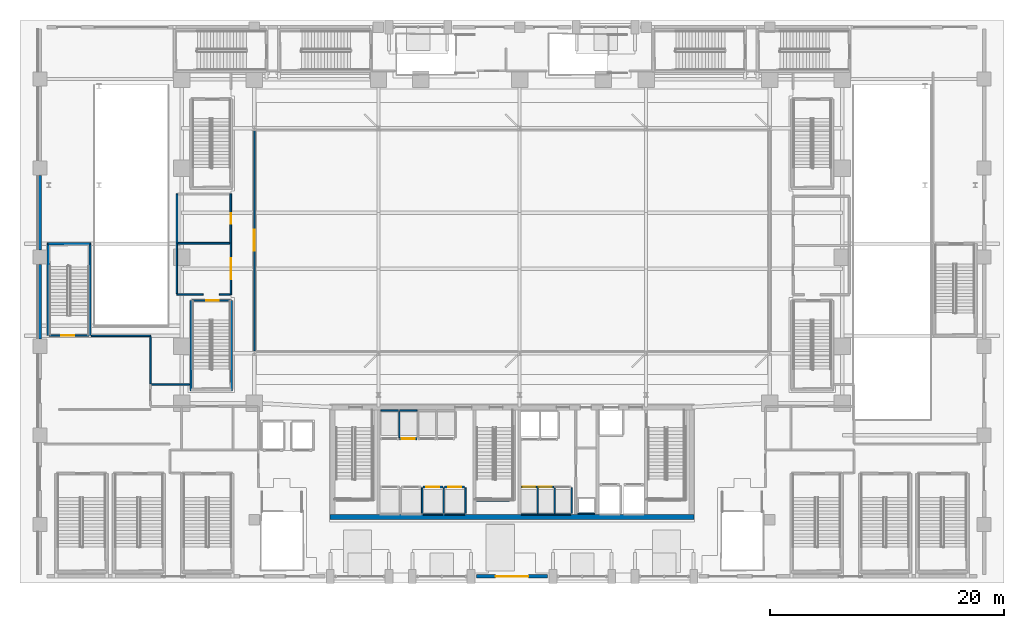
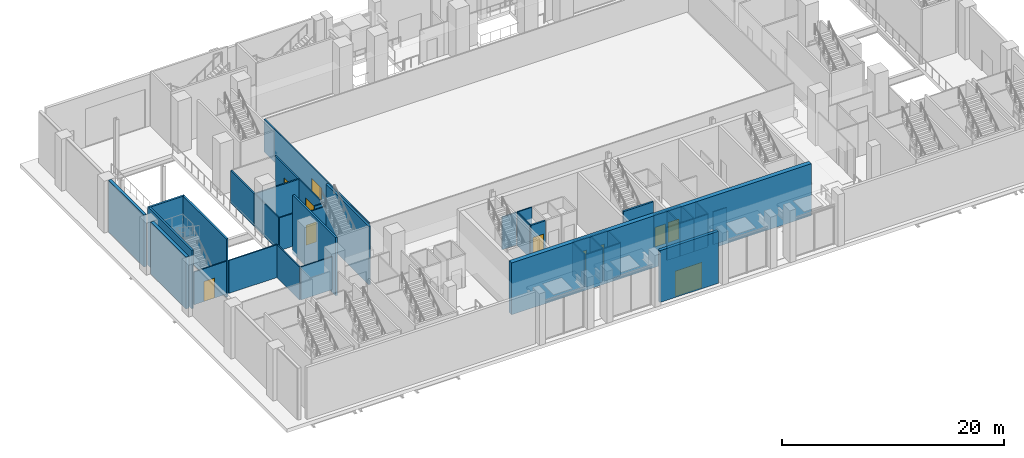
# One storey, part 19 of 36: 43 walls, 11 doors, 11 openings.
"""IFC4 building model written with IfcOpenShell, lengths in metres."""

import ifcopenshell
import ifcopenshell.guid

model = None  # the IFC model being written
_history = None  # IfcOwnerHistory: only IFC2X3 demands one
_inside = {}  # id of a spatial element -> (the spatial element, [elements in it])
_under = {}  # id of a project, library or spatial element -> (it, [spatial elements below it])
_declared = {}  # id of a project -> (the project, [libraries it declares])
_typed = {}  # id of a type object -> (the type object, [elements of that type])
_made_of = {}  # id of a material, layer set ... -> (it, [elements and type objects made of it])


def new_model(schema):
    """Start an empty IFC model of exactly this schema.

    Asked for "IFC4X3", IfcOpenShell would pick the latest addendum, in which some entities
    have other attributes; the version numbers below select the first issue.
    IFC2X3 requires an IfcOwnerHistory on every rooted entity: one is made here for all.
    """
    global model, _history
    if schema == "IFC4X3":
        model = ifcopenshell.file(schema_version=(4, 3, 0, 0))
    else:
        model = ifcopenshell.file(schema=schema)
    _inside.clear()
    _under.clear()
    _declared.clear()
    _typed.clear()
    _made_of.clear()
    _history = None
    if model.schema == "IFC2X3":
        org = make("IfcOrganization", Name="unknown")
        user = make(
            "IfcPersonAndOrganization",
            ThePerson=make("IfcPerson", FamilyName="unknown"),
            TheOrganization=org,
        )
        app = make(
            "IfcApplication",
            ApplicationDeveloper=org,
            Version="unknown",
            ApplicationFullName="unknown",
            ApplicationIdentifier="unknown",
        )
        _history = make(
            "IfcOwnerHistory",
            OwningUser=user,
            OwningApplication=app,
            ChangeAction="ADDED",
            CreationDate=0,
        )
    return model


def make(cls, **values):
    """One entity of the class cls with the attributes given. An attribute that is None is left unset."""
    return model.create_entity(
        cls, **{name: value for name, value in values.items() if value is not None}
    )


def rooted(cls, **values):
    """An entity with a GlobalId (a new one), such as an element, a storey or a relation."""
    return make(cls, GlobalId=ifcopenshell.guid.new(), OwnerHistory=_history, **values)


def si_unit(unit_type, name, prefix=None):
    """IfcSIUnit, for example si_unit("LENGTHUNIT", "METRE", prefix="MILLI")."""
    return make("IfcSIUnit", UnitType=unit_type, Prefix=prefix, Name=name)


def assignment(units):
    """IfcUnitAssignment: the units of a project."""
    return None if units is None else make("IfcUnitAssignment", Units=units)


def point(xyz):
    """IfcCartesianPoint."""
    return None if xyz is None else make("IfcCartesianPoint", Coordinates=xyz)


def direction(xyz):
    """IfcDirection."""
    return None if xyz is None else make("IfcDirection", DirectionRatios=xyz)


def frame(location, z_axis=None, x_axis=None):
    """IfcAxis2Placement3D, a coordinate frame: its origin and axes. An axis left out is left unset."""
    return make(
        "IfcAxis2Placement3D",
        Location=point(location),
        Axis=direction(z_axis),
        RefDirection=direction(x_axis),
    )


def frame_2d(location, x_axis=None):
    """IfcAxis2Placement2D, a coordinate frame in the plane: its origin and x axis."""
    return make(
        "IfcAxis2Placement2D", Location=point(location), RefDirection=direction(x_axis)
    )


def origin():
    """The frame at (0, 0, 0) with its axes left unset."""
    return frame((0.0, 0.0, 0.0))


def place(relative_to, where):
    """IfcLocalPlacement: puts the frame where relative to a parent placement (None: the world)."""
    return make(
        "IfcLocalPlacement", PlacementRelTo=relative_to, RelativePlacement=where
    )


def context(
    kind, dimensions, precision=None, world=None, true_north=None, identifier=None
):
    """IfcGeometricRepresentationContext, for example the 3D "Model" context."""
    return make(
        "IfcGeometricRepresentationContext",
        ContextIdentifier=identifier,
        ContextType=kind,
        CoordinateSpaceDimension=dimensions,
        Precision=precision,
        WorldCoordinateSystem=world,
        TrueNorth=true_north,
    )


def subcontext(parent, identifier, kind, view, scale=None):
    """IfcGeometricRepresentationSubContext, for example "Body" below "Model"."""
    return make(
        "IfcGeometricRepresentationSubContext",
        ContextIdentifier=identifier,
        ContextType=kind,
        ParentContext=parent,
        TargetScale=scale,
        TargetView=view,
    )


def project(units=None, contexts=None):
    """IfcProject with its units and contexts."""
    return rooted(
        "IfcProject",
        Name="project",
        RepresentationContexts=contexts,
        UnitsInContext=assignment(units),
    )


def spatial(cls, under=None, at=None, **own):
    """A site, building, storey or space (cls), placed at a placement, below another one or the project."""
    s = rooted(cls, ObjectPlacement=at, **own)
    if under is not None:
        _under.setdefault(under.id(), (under, []))[1].append(s)
    return s


def profile(cls, at=None, kind="AREA", **sizes):
    """A parametric profile (cls). Its sizes go by their IFC names, for example OverallWidth=200.0."""
    return make(cls, ProfileType=kind, Position=at, **sizes)


def rectangle(**sizes):
    """IfcRectangleProfileDef."""
    return profile("IfcRectangleProfileDef", **sizes)


def extrude(swept, where, along, depth):
    """IfcExtrudedAreaSolid: the profile swept, set in the frame where, extruded along a direction by depth."""
    return make(
        "IfcExtrudedAreaSolid",
        SweptArea=swept,
        Position=where,
        ExtrudedDirection=direction(along),
        Depth=depth,
    )


def shape(context_of_items, identifier, shape_type, items):
    """IfcShapeRepresentation: the items that make up one representation, for example the "Body"."""
    return make(
        "IfcShapeRepresentation",
        ContextOfItems=context_of_items,
        RepresentationIdentifier=identifier,
        RepresentationType=shape_type,
        Items=items,
    )


def material(Name=None, Category=None):
    """IfcMaterial."""
    return make("IfcMaterial", Name=Name, Category=Category)


def layer(
    of_material, thickness, ventilated=None, Name=None, Category=None, Priority=None
):
    """IfcMaterialLayer: one layer of a wall or slab, of a material (None: an air gap)."""
    return make(
        "IfcMaterialLayer",
        Material=of_material,
        LayerThickness=thickness,
        IsVentilated=ventilated,
        Name=Name,
        Category=Category,
        Priority=Priority,
    )


def layer_set(layers, Name=None):
    """IfcMaterialLayerSet."""
    return make("IfcMaterialLayerSet", MaterialLayers=layers, LayerSetName=Name)


def made_of(thing, what):
    """Note that an element or type object is made of a material, layer set ...; save() writes the relation."""
    if what is not None:
        _made_of.setdefault(what.id(), (what, []))[1].append(thing)
    return thing


def type_object(cls, material=None, **own):
    """A type object (cls), such as IfcWallType, which elements share."""
    return made_of(rooted(cls, **own), material)


def element(
    cls,
    number,
    at=None,
    inside=None,
    cuts=None,
    type_object=None,
    material=None,
    context=None,
    identifier="Body",
    shape_type=None,
    held_by="IfcProductDefinitionShape",
    body=None,
    shapes=None,
    **own,
):
    """One element of the class cls, such as IfcWall. Its Tag is "e" and its number.

    at: its placement. inside: the storey or other place that contains it. cuts: it is an
    opening in that element (IfcRelVoidsElement). A single representation is given by context,
    identifier, shape_type and body (its items); several are given by shapes. held_by: the class
    of the entity that holds the representations. save() writes the other relations.
    """
    e = rooted(cls, Tag="e%d" % number, ObjectPlacement=at, **own)
    if body is not None:
        shapes = [shape(context, identifier, shape_type, body)]
    if shapes is not None:
        e.Representation = make(held_by, Representations=shapes)
    if inside is not None:
        _inside.setdefault(inside.id(), (inside, []))[1].append(e)
    if cuts is not None:
        rooted(
            "IfcRelVoidsElement", RelatingBuildingElement=cuts, RelatedOpeningElement=e
        )
    if type_object is not None:
        _typed.setdefault(type_object.id(), (type_object, []))[1].append(e)
    return made_of(e, material)


def fill(opening, filler):
    """IfcRelFillsElement: the door or window that sits in an opening."""
    return rooted(
        "IfcRelFillsElement",
        RelatingOpeningElement=opening,
        RelatedBuildingElement=filler,
    )


def aggregate(whole, parts):
    """IfcRelAggregates: a whole, such as a stair, and the parts it consists of."""
    return rooted("IfcRelAggregates", RelatingObject=whole, RelatedObjects=parts)


def save(model, path):
    """Write the relations noted so far, then the file.

    IfcRelAggregates (storeys below a building ...), IfcRelContainedInSpatialStructure (elements
    in a storey), IfcRelDefinesByType, IfcRelAssociatesMaterial and IfcRelDeclares: one each for
    every whole, place, type object, material and project.
    """
    for whole, parts in _under.values():
        aggregate(whole, parts)
    for where, things in _inside.values():
        rooted(
            "IfcRelContainedInSpatialStructure",
            RelatedElements=things,
            RelatingStructure=where,
        )
    for kind, things in _typed.values():
        rooted("IfcRelDefinesByType", RelatedObjects=things, RelatingType=kind)
    for what, things in _made_of.values():
        rooted("IfcRelAssociatesMaterial", RelatedObjects=things, RelatingMaterial=what)
    for by, libraries in _declared.values():
        rooted("IfcRelDeclares", RelatingContext=by, RelatedDefinitions=libraries)
    model.write(path)


model = new_model("IFC4")

# Units and contexts
model_context = context("Model", 3, precision=1e-05, world=origin(), true_north=direction((0.0, 1.0)))
body_context = subcontext(model_context, "Body", "Model", "MODEL_VIEW")
ifc_project = project(units=[si_unit("LENGTHUNIT", "METRE"), si_unit("AREAUNIT", "SQUARE_METRE"), si_unit("VOLUMEUNIT", "CUBIC_METRE"), si_unit("PLANEANGLEUNIT", "RADIAN"), si_unit("MASSUNIT", "GRAM", prefix="KILO")], contexts=[model_context])

# Site, building, storey
site_placement = place(None, origin())
site = spatial("IfcSite", under=ifc_project, at=site_placement, CompositionType="ELEMENT")
building_placement = place(site_placement, origin())
building = spatial("IfcBuilding", under=site, at=building_placement, Name="Ndaravel Arena Tower", CompositionType="ELEMENT")
storey_placement = place(building_placement, origin())
storey = spatial("IfcBuildingStorey", under=building, at=storey_placement, Name="L00", CompositionType="ELEMENT", Elevation=0.0)

# Walls
ifc_material_1 = material(Name="Concrete C60/75", Category="concrete")
ifc_layer_1 = layer(ifc_material_1, 0.449951171875)
ifc_layer_set_1 = layer_set([ifc_layer_1], Name="Concrete C60/75")
wall_type_1 = type_object("IfcWallType", Name="WALL-CORE-450", PredefinedType="SOLIDWALL", material=ifc_layer_set_1)
wall_1_placement = place(storey_placement, frame((26.449951171875, 5.625, 0.0), z_axis=(0.0, 0.0, 1.0), x_axis=(1.0, 0.0, 0.0)))
element("IfcWall", 1, at=wall_1_placement, inside=storey, type_object=wall_type_1, Name="L00 Core South Shear Wall", PredefinedType="SOLIDWALL", context=body_context, shape_type="SweptSolid", body=[
    extrude(rectangle(XDim=31.10009765625, YDim=0.449951171875, at=frame_2d((15.550048828125, 0.0))), origin(), (0.0, 0.0, 1.0), 5.699951171875),
])
ifc_material_2 = material(Name="Gypsum", Category="gypsum")
ifc_layer_2 = layer(ifc_material_2, 0.125)
ifc_layer_set_2 = layer_set([ifc_layer_2], Name="Gypsum")
wall_type_2 = type_object("IfcWallType", Name="WALL-PART-125", PredefinedType="PARTITIONING", material=ifc_layer_set_2)
wall_2_placement = place(storey_placement, frame((11.215087890625, 16.949951171875, 0.0), z_axis=(0.0, 0.0, 1.0), x_axis=(1.0, 0.0, 0.0)))
element("IfcWall", 2, at=wall_2_placement, inside=storey, type_object=wall_type_2, Name="L00 Interior Partition 008", PredefinedType="PARTITIONING", context=body_context, shape_type="SweptSolid", body=[
    extrude(rectangle(XDim=3.264892578125, YDim=0.125, at=frame_2d((1.63232421875, 0.0))), origin(), (0.0, 0.0, 1.0), 3.60009765625),
])

# Wall, opening, door
wall_3_placement = place(storey_placement, frame((18.0, 24.60009765625, 0.0), z_axis=(0.0, 0.0, 1.0), x_axis=(0.0, 1.0, 0.0)))
wall_3 = element("IfcWall", 3, at=wall_3_placement, inside=storey, type_object=wall_type_2, Name="L00 Interior Partition 009", PredefinedType="PARTITIONING", context=body_context, shape_type="SweptSolid", body=[
    extrude(rectangle(XDim=4.39990234375, YDim=0.125, at=frame_2d((2.199951171875, 0.0))), origin(), (0.0, 0.0, 1.0), 3.60009765625),
])
opening_1_placement = place(wall_3_placement, frame((1.300048828125, 0.0, 0.0)))
opening_1 = element("IfcOpeningElement", 4, at=opening_1_placement, cuts=wall_3, Name="Opening AD-01", PredefinedType="OPENING", context=body_context, shape_type="SweptSolid", body=[
    extrude(rectangle(XDim=1.800048828125, YDim=2.300048828125, at=frame_2d((0.89990234375, 1.14990234375))), frame((0.0, 0.0625, 0.0), z_axis=(0.0, -1.0, 0.0), x_axis=(1.0, 0.0, 0.0)), (0.0, 0.0, 1.0), 0.125),
])
ifc_material_3 = material(Name="Steel S355", Category="steel")
door_type_1 = type_object("IfcDoorType", Name="DT-10-ARENA-1800", OperationType="DOUBLE_DOOR_SINGLE_SWING", PredefinedType="DOOR", material=ifc_material_3)
door_1_placement = place(opening_1_placement, origin())
door_1 = element("IfcDoor", 5, at=door_1_placement, inside=storey, type_object=door_type_1, Name="L00 Cafe & Spectator Refreshment Bar Door", OperationType="SINGLE_SWING_LEFT", OverallHeight=2.300048828125, OverallWidth=1.800048828125, PredefinedType="DOOR", context=body_context, shape_type="SweptSolid", body=[
    extrude(rectangle(XDim=1.800048828125, YDim=2.300048828125, at=frame_2d((0.89990234375, 1.14990234375))), frame((0.0, 0.02490234375, 0.0), z_axis=(0.0, -1.0, 0.0), x_axis=(1.0, 0.0, 0.0)), (0.0, 0.0, 1.0), 0.050048828125),
])
fill(opening_1, door_1)

# Walls
wall_4_placement = place(storey_placement, frame((6.10009765625, 21.080078125, 0.0), z_axis=(0.0, 0.0, 1.0), x_axis=(1.0, 0.0, 0.0)))
element("IfcWall", 6, at=wall_4_placement, inside=storey, type_object=wall_type_2, Name="L00 Interior Partition 040", PredefinedType="PARTITIONING", context=body_context, shape_type="SweptSolid", body=[
    extrude(rectangle(XDim=5.0498046875, YDim=0.125, at=frame_2d((2.52490234375, 0.0))), origin(), (0.0, 0.0, 1.0), 3.60009765625),
])
wall_5_placement = place(storey_placement, frame((11.14990234375, 21.014892578125, 0.0), z_axis=(0.0, 0.0, 1.0), x_axis=(0.0, -1.0, 0.0)))
element("IfcWall", 7, at=wall_5_placement, inside=storey, type_object=wall_type_2, Name="L00 Interior Partition 041", PredefinedType="PARTITIONING", context=body_context, shape_type="SweptSolid", body=[
    extrude(rectangle(XDim=4.06494140625, YDim=0.125, at=frame_2d((2.032470703125, 0.0))), origin(), (0.0, 0.0, 1.0), 3.60009765625),
])

# Wall, opening, door
wall_6_placement = place(storey_placement, frame((20.0, 19.81494140625, 0.0), z_axis=(0.0, 0.0, 1.0), x_axis=(0.0, 1.0, 0.0)))
wall_6 = element("IfcWall", 8, at=wall_6_placement, inside=storey, type_object=wall_type_2, Name="L00 Interior Partition 045", PredefinedType="PARTITIONING", context=body_context, shape_type="SweptSolid", body=[
    extrude(rectangle(XDim=18.8349609375, YDim=0.125, at=frame_2d((9.41748046875, 0.0))), origin(), (0.0, 0.0, 1.0), 3.60009765625),
])
opening_2_placement = place(wall_6_placement, frame((8.517578125, 0.0, 0.0)))
opening_2 = element("IfcOpeningElement", 9, at=opening_2_placement, cuts=wall_6, Name="Opening AD-01", PredefinedType="OPENING", context=body_context, shape_type="SweptSolid", body=[
    extrude(rectangle(XDim=1.800048828125, YDim=2.300048828125, at=frame_2d((0.89990234375, 1.14990234375))), frame((0.0, 0.0625, 0.0), z_axis=(0.0, -1.0, 0.0), x_axis=(1.0, 0.0, 0.0)), (0.0, 0.0, 1.0), 0.125),
])
door_2_placement = place(opening_2_placement, origin())
door_2 = element("IfcDoor", 10, at=door_2_placement, inside=storey, type_object=door_type_1, Name="L00 Arena Event Floor & Competition Court Door", OperationType="SINGLE_SWING_RIGHT", OverallHeight=2.300048828125, OverallWidth=1.800048828125, PredefinedType="DOOR", context=body_context, shape_type="SweptSolid", body=[
    extrude(rectangle(XDim=1.800048828125, YDim=2.300048828125, at=frame_2d((0.89990234375, 1.14990234375))), frame((0.0, 0.02490234375, 0.0), z_axis=(0.0, -1.0, 0.0), x_axis=(1.0, 0.0, 0.0)), (0.0, 0.0, 1.0), 0.050048828125),
])
fill(opening_2, door_2)

# Walls
wall_7_placement = place(storey_placement, frame((17.93505859375, 24.60009765625, 0.0), z_axis=(0.0, 0.0, 1.0), x_axis=(-1.0, 0.0, 0.0)))
element("IfcWall", 11, at=wall_7_placement, inside=storey, type_object=wall_type_2, Name="L00 Interior Partition 052", PredefinedType="PARTITIONING", context=body_context, shape_type="SweptSolid", body=[
    extrude(rectangle(XDim=0.905029296875, YDim=0.125, at=frame_2d((0.45263671875, 0.0))), origin(), (0.0, 0.0, 1.0), 3.60009765625),
])
wall_8_placement = place(storey_placement, frame((15.6298828125, 24.60009765625, 0.0), z_axis=(0.0, 0.0, 1.0), x_axis=(-1.0, 0.0, 0.0)))
element("IfcWall", 12, at=wall_8_placement, inside=storey, type_object=wall_type_2, Name="L00 Interior Partition 053", PredefinedType="PARTITIONING", context=body_context, shape_type="SweptSolid", body=[
    extrude(rectangle(XDim=2.22998046875, YDim=0.125, at=frame_2d((1.114990234375, 0.0))), origin(), (0.0, 0.0, 1.0), 3.60009765625),
])
wall_9_placement = place(storey_placement, frame((13.39990234375, 24.6650390625, 0.0), z_axis=(0.0, 0.0, 1.0), x_axis=(0.0, 1.0, 0.0)))
element("IfcWall", 13, at=wall_9_placement, inside=storey, type_object=wall_type_2, Name="L00 Interior Partition 054", PredefinedType="PARTITIONING", context=body_context, shape_type="SweptSolid", body=[
    extrude(rectangle(XDim=4.3349609375, YDim=0.125, at=frame_2d((2.16748046875, 0.0))), origin(), (0.0, 0.0, 1.0), 3.60009765625),
])

# Wall, opening, door
ifc_material_4 = material(Name="Masonry", Category="masonry")
ifc_layer_3 = layer(ifc_material_4, 0.300048828125)
ifc_layer_set_3 = layer_set([ifc_layer_3], Name="Masonry")
wall_type_3 = type_object("IfcWallType", Name="WALL-POD-MAZERAS-300", PredefinedType="SOLIDWALL", material=ifc_layer_set_3)
wall_10_placement = place(storey_placement, frame((45.050048828125, 0.550048828125, 0.0), z_axis=(0.0, 0.0, 1.0), x_axis=(-1.0, 0.0, 0.0)))
wall_10 = element("IfcWall", 14, at=wall_10_placement, inside=storey, type_object=wall_type_3, Name="L00 South Portal Mazeras Wall", PredefinedType="SOLIDWALL", context=body_context, shape_type="SweptSolid", body=[
    extrude(rectangle(XDim=6.10009765625, YDim=0.300048828125, at=frame_2d((3.050048828125, 0.0))), origin(), (0.0, 0.0, 1.0), 5.699951171875),
])
opening_3_placement = place(wall_10_placement, frame((1.64990234375, 0.0, 0.0)))
opening_3 = element("IfcOpeningElement", 15, at=opening_3_placement, cuts=wall_10, Name="Opening ED-01", PredefinedType="OPENING", context=body_context, shape_type="SweptSolid", body=[
    extrude(rectangle(XDim=2.800048828125, YDim=2.800048828125, at=frame_2d((1.39990234375, 1.39990234375))), frame((0.0, 0.14990234375, 0.0), z_axis=(0.0, -1.0, 0.0), x_axis=(1.0, 0.0, 0.0)), (0.0, 0.0, 1.0), 0.300048828125),
])
ifc_material_5 = material(Name="Aluminium", Category="aluminium")
door_type_2 = type_object("IfcDoorType", Name="ED-MAIN-2800", OperationType="DOUBLE_DOOR_SINGLE_SWING", PredefinedType="DOOR", material=ifc_material_5)
door_3_placement = place(opening_3_placement, origin())
door_3 = element("IfcDoor", 16, at=door_3_placement, inside=storey, type_object=door_type_2, Name="Tower Grand South Entrance Door", OperationType="DOUBLE_DOOR_SINGLE_SWING", OverallHeight=2.800048828125, OverallWidth=2.800048828125, PredefinedType="DOOR", context=body_context, shape_type="SweptSolid", body=[
    extrude(rectangle(XDim=2.800048828125, YDim=2.800048828125, at=frame_2d((1.39990234375, 1.39990234375))), frame((0.0, 0.02490234375, 0.0), z_axis=(0.0, -1.0, 0.0), x_axis=(1.0, 0.0, 0.0)), (0.0, 0.0, 1.0), 0.050048828125),
])
fill(opening_3, door_3)

# Walls
wall_11_placement = place(storey_placement, frame((1.699951171875, 20.820068359375, 0.0), z_axis=(0.0, 0.0, 1.0), x_axis=(0.0, 1.0, 0.0)))
element("IfcWall", 17, at=wall_11_placement, inside=storey, type_object=wall_type_3, Name="L00 West Mazeras Bay 4", PredefinedType="SOLIDWALL", context=body_context, shape_type="SweptSolid", body=[
    extrude(rectangle(XDim=6.35986328125, YDim=0.300048828125, at=frame_2d((3.179931640625, 0.0))), origin(), (0.0, 0.0, 1.0), 5.699951171875),
])
wall_12_placement = place(storey_placement, frame((1.699951171875, 28.419921875, 0.0), z_axis=(0.0, 0.0, 1.0), x_axis=(0.0, 1.0, 0.0)))
element("IfcWall", 18, at=wall_12_placement, inside=storey, type_object=wall_type_3, Name="L00 West Mazeras Bay 5", PredefinedType="SOLIDWALL", context=body_context, shape_type="SweptSolid", body=[
    extrude(rectangle(XDim=6.360107421875, YDim=0.300048828125, at=frame_2d((3.18017578125, 0.0))), origin(), (0.0, 0.0, 1.0), 5.699951171875),
])

# Wall, opening, door
ifc_material_6 = material(Name="Concrete C40/50", Category="concrete")
ifc_layer_4 = layer(ifc_material_6, 0.1201171875)
ifc_layer_set_4 = layer_set([ifc_layer_4], Name="Concrete C40/50")
wall_type_4 = type_object("IfcWallType", Name="WALL-SHAFT-120", PredefinedType="SOLIDWALL", material=ifc_layer_set_4)
wall_13_placement = place(storey_placement, frame((5.875, 21.10009765625, 0.0), z_axis=(0.0, 0.0, 1.0), x_axis=(-1.0, 0.0, 0.0)))
wall_13 = element("IfcWall", 19, at=wall_13_placement, inside=storey, type_object=wall_type_4, Name="L00 ST-A07 Entry Wall", PredefinedType="SOLIDWALL", context=body_context, shape_type="SweptSolid", body=[
    extrude(rectangle(XDim=3.3701171875, YDim=0.1201171875, at=frame_2d((1.68505859375, 0.0))), origin(), (0.0, 0.0, 1.0), 3.60009765625),
])
opening_4_placement = place(wall_13_placement, frame((1.239990234375, 0.0, 0.0)))
opening_4 = element("IfcOpeningElement", 20, at=opening_4_placement, cuts=wall_13, Name="Opening FD-01", PredefinedType="OPENING", context=body_context, shape_type="SweptSolid", body=[
    extrude(rectangle(XDim=1.10009765625, YDim=2.199951171875, at=frame_2d((0.550048828125, 1.10009765625))), frame((0.0, 0.06005859375, 0.0), z_axis=(0.0, -1.0, 0.0), x_axis=(1.0, 0.0, 0.0)), (0.0, 0.0, 1.0), 0.1201171875),
])
ifc_material_7 = material(Name="Steel S355", Category="steel")
door_type_3 = type_object("IfcDoorType", Name="DT-01-STAIR-1100", OperationType="SINGLE_SWING_LEFT", PredefinedType="DOOR", material=ifc_material_7)
door_4_placement = place(opening_4_placement, origin())
door_4 = element("IfcDoor", 21, at=door_4_placement, inside=storey, type_object=door_type_3, Name="L00 ST-A07 Fire Exit Stair Door", OperationType="SINGLE_SWING_LEFT", OverallHeight=2.199951171875, OverallWidth=1.10009765625, PredefinedType="DOOR", context=body_context, shape_type="SweptSolid", body=[
    extrude(rectangle(XDim=1.10009765625, YDim=2.199951171875, at=frame_2d((0.550048828125, 1.10009765625))), frame((0.0, 0.02490234375, 0.0), z_axis=(0.0, -1.0, 0.0), x_axis=(1.0, 0.0, 0.0)), (0.0, 0.0, 1.0), 0.050048828125),
])
fill(opening_4, door_4)

wall_14_placement = place(storey_placement, frame((14.705078125, 24.10009765625, 0.0), z_axis=(0.0, 0.0, 1.0), x_axis=(1.0, 0.0, 0.0)))
wall_14 = element("IfcWall", 22, at=wall_14_placement, inside=storey, type_object=wall_type_4, Name="L00 ST-VOM-1 Entry Wall", PredefinedType="SOLIDWALL", context=body_context, shape_type="SweptSolid", body=[
    extrude(rectangle(XDim=3.25, YDim=0.1201171875, at=frame_2d((1.625, 0.0))), origin(), (0.0, 0.0, 1.0), 3.60009765625),
])
opening_5_placement = place(wall_14_placement, frame((1.179931640625, 0.0, 0.0)))
opening_5 = element("IfcOpeningElement", 23, at=opening_5_placement, cuts=wall_14, Name="Opening FD-01", PredefinedType="OPENING", context=body_context, shape_type="SweptSolid", body=[
    extrude(rectangle(XDim=1.10009765625, YDim=2.199951171875, at=frame_2d((0.550048828125, 1.10009765625))), frame((0.0, 0.06005859375, 0.0), z_axis=(0.0, -1.0, 0.0), x_axis=(1.0, 0.0, 0.0)), (0.0, 0.0, 1.0), 0.1201171875),
])
door_5_placement = place(opening_5_placement, origin())
door_5 = element("IfcDoor", 24, at=door_5_placement, inside=storey, type_object=door_type_3, Name="L00 ST-VOM-1 Fire Exit Stair Door", OperationType="SINGLE_SWING_LEFT", OverallHeight=2.199951171875, OverallWidth=1.10009765625, PredefinedType="DOOR", context=body_context, shape_type="SweptSolid", body=[
    extrude(rectangle(XDim=1.10009765625, YDim=2.199951171875, at=frame_2d((0.550048828125, 1.10009765625))), frame((0.0, 0.02490234375, 0.0), z_axis=(0.0, -1.0, 0.0), x_axis=(1.0, 0.0, 0.0)), (0.0, 0.0, 1.0), 0.050048828125),
])
fill(opening_5, door_5)

# Walls
wall_15_placement = place(storey_placement, frame((47.6201171875, 5.919921875, 0.0), z_axis=(0.0, 0.0, 1.0), x_axis=(1.0, 0.0, 0.0)))
element("IfcWall", 25, at=wall_15_placement, inside=storey, type_object=wall_type_4, Name="L00 MEP Riser Shaft S Wall", PredefinedType="SOLIDWALL", context=body_context, shape_type="SweptSolid", body=[
    extrude(rectangle(XDim=1.4599609375, YDim=0.1201171875, at=frame_2d((0.72998046875, 0.0))), origin(), (0.0, 0.0, 1.0), 3.60009765625),
])
wall_16_placement = place(storey_placement, frame((34.324951171875, 5.929931640625, 0.0), z_axis=(0.0, 0.0, 1.0), x_axis=(0.0, 1.0, 0.0)))
element("IfcWall", 26, at=wall_16_placement, inside=storey, type_object=wall_type_4, Name="L00 PL-L2 Shaft Side R Wall", PredefinedType="SOLIDWALL", context=body_context, shape_type="SweptSolid", body=[
    extrude(rectangle(XDim=2.18017578125, YDim=0.1201171875, at=frame_2d((1.090087890625, 0.0))), origin(), (0.0, 0.0, 1.0), 3.60009765625),
])
wall_17_placement = place(storey_placement, frame((34.405029296875, 5.840087890625, 0.0), z_axis=(0.0, 0.0, 1.0), x_axis=(1.0, 0.0, 0.0)))
element("IfcWall", 27, at=wall_17_placement, inside=storey, type_object=wall_type_4, Name="L00 PL-L3 Shaft Rear Wall", PredefinedType="SOLIDWALL", context=body_context, shape_type="SweptSolid", body=[
    extrude(rectangle(XDim=1.68994140625, YDim=0.1201171875, at=frame_2d((0.844970703125, 0.0))), origin(), (0.0, 0.0, 1.0), 3.60009765625),
])
wall_18_placement = place(storey_placement, frame((36.175048828125, 5.929931640625, 0.0), z_axis=(0.0, 0.0, 1.0), x_axis=(0.0, 1.0, 0.0)))
element("IfcWall", 28, at=wall_18_placement, inside=storey, type_object=wall_type_4, Name="L00 PL-L3 Shaft Side R Wall", PredefinedType="SOLIDWALL", context=body_context, shape_type="SweptSolid", body=[
    extrude(rectangle(XDim=2.18017578125, YDim=0.1201171875, at=frame_2d((1.090087890625, 0.0))), origin(), (0.0, 0.0, 1.0), 3.60009765625),
])
wall_19_placement = place(storey_placement, frame((36.2548828125, 5.840087890625, 0.0), z_axis=(0.0, 0.0, 1.0), x_axis=(1.0, 0.0, 0.0)))
element("IfcWall", 29, at=wall_19_placement, inside=storey, type_object=wall_type_4, Name="L00 PL-L4 Shaft Rear Wall", PredefinedType="SOLIDWALL", context=body_context, shape_type="SweptSolid", body=[
    extrude(rectangle(XDim=1.690185546875, YDim=0.1201171875, at=frame_2d((0.84521484375, 0.0))), origin(), (0.0, 0.0, 1.0), 3.60009765625),
])
wall_20_placement = place(storey_placement, frame((38.02490234375, 5.929931640625, 0.0), z_axis=(0.0, 0.0, 1.0), x_axis=(0.0, 1.0, 0.0)))
element("IfcWall", 30, at=wall_20_placement, inside=storey, type_object=wall_type_4, Name="L00 PL-L4 Shaft Side R Wall", PredefinedType="SOLIDWALL", context=body_context, shape_type="SweptSolid", body=[
    extrude(rectangle(XDim=2.18017578125, YDim=0.1201171875, at=frame_2d((1.090087890625, 0.0))), origin(), (0.0, 0.0, 1.0), 3.60009765625),
])
wall_21_placement = place(storey_placement, frame((30.804931640625, 14.7099609375, 0.0), z_axis=(0.0, 0.0, 1.0), x_axis=(1.0, 0.0, 0.0)))
element("IfcWall", 31, at=wall_21_placement, inside=storey, type_object=wall_type_4, Name="L00 PL-M1 Shaft Rear Wall", PredefinedType="SOLIDWALL", context=body_context, shape_type="SweptSolid", body=[
    extrude(rectangle(XDim=1.489990234375, YDim=0.1201171875, at=frame_2d((0.7451171875, 0.0))), origin(), (0.0, 0.0, 1.0), 3.60009765625),
])
wall_22_placement = place(storey_placement, frame((32.375, 12.389892578125, 0.0), z_axis=(0.0, 0.0, 1.0), x_axis=(0.0, 1.0, 0.0)))
element("IfcWall", 32, at=wall_22_placement, inside=storey, type_object=wall_type_4, Name="L00 PL-M1 Shaft Side R Wall", PredefinedType="SOLIDWALL", context=body_context, shape_type="SweptSolid", body=[
    extrude(rectangle(XDim=2.230224609375, YDim=0.1201171875, at=frame_2d((1.115234375, 0.0))), origin(), (0.0, 0.0, 1.0), 3.60009765625),
])
wall_23_placement = place(storey_placement, frame((32.405029296875, 14.7099609375, 0.0), z_axis=(0.0, 0.0, 1.0), x_axis=(1.0, 0.0, 0.0)))
element("IfcWall", 33, at=wall_23_placement, inside=storey, type_object=wall_type_4, Name="L00 PL-M2 Shaft Rear Wall", PredefinedType="SOLIDWALL", context=body_context, shape_type="SweptSolid", body=[
    extrude(rectangle(XDim=1.489990234375, YDim=0.1201171875, at=frame_2d((0.7451171875, 0.0))), origin(), (0.0, 0.0, 1.0), 3.60009765625),
])
wall_24_placement = place(storey_placement, frame((42.780029296875, 5.840087890625, 0.0), z_axis=(0.0, 0.0, 1.0), x_axis=(1.0, 0.0, 0.0)))
element("IfcWall", 34, at=wall_24_placement, inside=storey, type_object=wall_type_4, Name="L00 PL-H1 Shaft Rear Wall", PredefinedType="SOLIDWALL", context=body_context, shape_type="SweptSolid", body=[
    extrude(rectangle(XDim=1.340087890625, YDim=0.1201171875, at=frame_2d((0.669921875, 0.0))), origin(), (0.0, 0.0, 1.0), 3.60009765625),
])
wall_25_placement = place(storey_placement, frame((44.199951171875, 5.929931640625, 0.0), z_axis=(0.0, 0.0, 1.0), x_axis=(0.0, 1.0, 0.0)))
element("IfcWall", 35, at=wall_25_placement, inside=storey, type_object=wall_type_4, Name="L00 PL-H1 Shaft Side R Wall", PredefinedType="SOLIDWALL", context=body_context, shape_type="SweptSolid", body=[
    extrude(rectangle(XDim=2.18017578125, YDim=0.1201171875, at=frame_2d((1.090087890625, 0.0))), origin(), (0.0, 0.0, 1.0), 3.60009765625),
])
wall_26_placement = place(storey_placement, frame((44.1298828125, 5.840087890625, 0.0), z_axis=(0.0, 0.0, 1.0), x_axis=(1.0, 0.0, 0.0)))
element("IfcWall", 36, at=wall_26_placement, inside=storey, type_object=wall_type_4, Name="L00 PL-H2 Shaft Rear Wall", PredefinedType="SOLIDWALL", context=body_context, shape_type="SweptSolid", body=[
    extrude(rectangle(XDim=1.440185546875, YDim=0.1201171875, at=frame_2d((0.72021484375, 0.0))), origin(), (0.0, 0.0, 1.0), 3.60009765625),
])
wall_27_placement = place(storey_placement, frame((45.64990234375, 5.929931640625, 0.0), z_axis=(0.0, 0.0, 1.0), x_axis=(0.0, 1.0, 0.0)))
element("IfcWall", 37, at=wall_27_placement, inside=storey, type_object=wall_type_4, Name="L00 PL-H2 Shaft Side R Wall", PredefinedType="SOLIDWALL", context=body_context, shape_type="SweptSolid", body=[
    extrude(rectangle(XDim=2.18017578125, YDim=0.1201171875, at=frame_2d((1.090087890625, 0.0))), origin(), (0.0, 0.0, 1.0), 3.60009765625),
])
wall_28_placement = place(storey_placement, frame((45.580078125, 5.840087890625, 0.0), z_axis=(0.0, 0.0, 1.0), x_axis=(1.0, 0.0, 0.0)))
element("IfcWall", 38, at=wall_28_placement, inside=storey, type_object=wall_type_4, Name="L00 PL-H3 Shaft Rear Wall", PredefinedType="SOLIDWALL", context=body_context, shape_type="SweptSolid", body=[
    extrude(rectangle(XDim=1.43994140625, YDim=0.1201171875, at=frame_2d((0.719970703125, 0.0))), origin(), (0.0, 0.0, 1.0), 3.60009765625),
])
wall_29_placement = place(storey_placement, frame((47.10009765625, 5.929931640625, 0.0), z_axis=(0.0, 0.0, 1.0), x_axis=(0.0, 1.0, 0.0)))
element("IfcWall", 39, at=wall_29_placement, inside=storey, type_object=wall_type_4, Name="L00 PL-H3 Shaft Side R Wall", PredefinedType="SOLIDWALL", context=body_context, shape_type="SweptSolid", body=[
    extrude(rectangle(XDim=2.18017578125, YDim=0.1201171875, at=frame_2d((1.090087890625, 0.0))), origin(), (0.0, 0.0, 1.0), 3.60009765625),
])
ifc_material_8 = material(Name="Concrete C40/50", Category="concrete")
ifc_layer_5 = layer(ifc_material_8, 0.199951171875)
ifc_layer_set_5 = layer_set([ifc_layer_5], Name="Concrete C40/50")
wall_type_5 = type_object("IfcWallType", Name="WALL-SHAFT-200", PredefinedType="SOLIDWALL", material=ifc_layer_set_5)
wall_30_placement = place(storey_placement, frame((38.969970703125, 7.050048828125, 0.0), z_axis=(0.0, 0.0, 1.0), x_axis=(1.0, 0.0, 0.0)))
element("IfcWall", 40, at=wall_30_placement, inside=storey, type_object=wall_type_5, Name="L00 ST-2 Structural Shaft Wall Far", PredefinedType="SOLIDWALL", context=body_context, shape_type="SweptSolid", body=[
    extrude(rectangle(XDim=3.114990234375, YDim=0.199951171875, at=frame_2d((1.5576171875, 0.0))), origin(), (0.0, 0.0, 1.0), 6.0),
])
for number, where, z_axis, x_axis, name in (
    (41, (5.97998046875, 21.10009765625, -0.39990234375), (0.0, 0.0, 1.0), (0.0, 1.0, 0.0), "L00 ST-A07 Shaft Wall Left"),
    (42, (2.39990234375, 21.10009765625, -0.39990234375), (0.0, 0.0, 1.0), (0.0, 1.0, 0.0), "L00 ST-A07 Shaft Wall Right"),
):
    element("IfcWall", number, at=place(storey_placement, frame(where, z_axis=z_axis, x_axis=x_axis)), inside=storey, type_object=wall_type_5, Name=name, PredefinedType="SOLIDWALL", context=body_context, shape_type="SweptSolid", body=[
        extrude(rectangle(XDim=7.949951171875, YDim=0.199951171875, at=frame_2d((3.97509765625, 0.0))), origin(), (0.0, 0.0, 1.0), 6.39990234375),
    ])
wall_31_placement = place(storey_placement, frame((5.969970703125, 28.949951171875, -0.39990234375), z_axis=(0.0, 0.0, 1.0), x_axis=(-1.0, 0.0, 0.0)))
element("IfcWall", 43, at=wall_31_placement, inside=storey, type_object=wall_type_5, Name="L00 ST-A07 Shaft Wall Far", PredefinedType="SOLIDWALL", context=body_context, shape_type="SweptSolid", body=[
    extrude(rectangle(XDim=3.56005859375, YDim=0.199951171875, at=frame_2d((1.780029296875, 0.0))), origin(), (0.0, 0.0, 1.0), 6.39990234375),
])
for number, where, z_axis, x_axis, name in (
    (44, (14.60009765625, 24.10009765625, -0.39990234375), (0.0, 0.0, 1.0), (0.0, -1.0, 0.0), "L00 ST-VOM-1 Shaft Wall Left"),
    (45, (18.06005859375, 24.10009765625, -0.39990234375), (0.0, 0.0, 1.0), (0.0, -1.0, 0.0), "L00 ST-VOM-1 Shaft Wall Right"),
):
    element("IfcWall", number, at=place(storey_placement, frame(where, z_axis=z_axis, x_axis=x_axis)), inside=storey, type_object=wall_type_5, Name=name, PredefinedType="SOLIDWALL", context=body_context, shape_type="SweptSolid", body=[
        extrude(rectangle(XDim=7.7001953125, YDim=0.199951171875, at=frame_2d((3.85009765625, 0.0))), origin(), (0.0, 0.0, 1.0), 6.39990234375),
    ])

# Wall, opening, door
wall_32_placement = place(storey_placement, frame((34.405029296875, 8.199951171875, 0.0), z_axis=(0.0, 0.0, 1.0), x_axis=(1.0, 0.0, 0.0)))
wall_32 = element("IfcWall", 46, at=wall_32_placement, inside=storey, type_object=wall_type_5, Name="L00 PL-L3 Shaft Landing Wall", PredefinedType="SOLIDWALL", context=body_context, shape_type="SweptSolid", body=[
    extrude(rectangle(XDim=1.68994140625, YDim=0.179931640625, at=frame_2d((0.844970703125, 0.0))), origin(), (0.0, 0.0, 1.0), 3.60009765625),
])
opening_6_placement = place(wall_32_placement, frame((0.294921875, 0.0, 0.0)))
opening_6 = element("IfcOpeningElement", 47, at=opening_6_placement, cuts=wall_32, Name="Opening LD-01", PredefinedType="OPENING", context=body_context, shape_type="SweptSolid", body=[
    extrude(rectangle(XDim=1.10009765625, YDim=2.199951171875, at=frame_2d((0.550048828125, 1.10009765625))), frame((0.0, 0.08984375, 0.0), z_axis=(0.0, -1.0, 0.0), x_axis=(1.0, 0.0, 0.0)), (0.0, 0.0, 1.0), 0.179931640625),
])
ifc_material_9 = material(Name="Steel S355", Category="steel")
door_type_4 = type_object("IfcDoorType", Name="DT-06-LIFT-1100", OperationType="SLIDING_TO_LEFT", PredefinedType="DOOR", material=ifc_material_9)
door_6_placement = place(opening_6_placement, origin())
door_6 = element("IfcDoor", 48, at=door_6_placement, inside=storey, type_object=door_type_4, Name="L00 Lift PL-L3 Sliding Landing Door", OperationType="SLIDING_TO_LEFT", OverallHeight=2.199951171875, OverallWidth=1.10009765625, PredefinedType="DOOR", context=body_context, shape_type="SweptSolid", body=[
    extrude(rectangle(XDim=1.10009765625, YDim=2.199951171875, at=frame_2d((0.550048828125, 1.10009765625))), frame((0.0, 0.02490234375, 0.0), z_axis=(0.0, -1.0, 0.0), x_axis=(1.0, 0.0, 0.0)), (0.0, 0.0, 1.0), 0.050048828125),
])
fill(opening_6, door_6)

wall_33_placement = place(storey_placement, frame((36.2548828125, 8.199951171875, 0.0), z_axis=(0.0, 0.0, 1.0), x_axis=(1.0, 0.0, 0.0)))
wall_33 = element("IfcWall", 49, at=wall_33_placement, inside=storey, type_object=wall_type_5, Name="L00 PL-L4 Shaft Landing Wall", PredefinedType="SOLIDWALL", context=body_context, shape_type="SweptSolid", body=[
    extrude(rectangle(XDim=1.690185546875, YDim=0.179931640625, at=frame_2d((0.84521484375, 0.0))), origin(), (0.0, 0.0, 1.0), 3.60009765625),
])
opening_7_placement = place(wall_33_placement, frame((0.294921875, 0.0, 0.0)))
opening_7 = element("IfcOpeningElement", 50, at=opening_7_placement, cuts=wall_33, Name="Opening LD-01", PredefinedType="OPENING", context=body_context, shape_type="SweptSolid", body=[
    extrude(rectangle(XDim=1.10009765625, YDim=2.199951171875, at=frame_2d((0.550048828125, 1.10009765625))), frame((0.0, 0.08984375, 0.0), z_axis=(0.0, -1.0, 0.0), x_axis=(1.0, 0.0, 0.0)), (0.0, 0.0, 1.0), 0.179931640625),
])
door_7_placement = place(opening_7_placement, origin())
door_7 = element("IfcDoor", 51, at=door_7_placement, inside=storey, type_object=door_type_4, Name="L00 Lift PL-L4 Sliding Landing Door", OperationType="SLIDING_TO_LEFT", OverallHeight=2.199951171875, OverallWidth=1.10009765625, PredefinedType="DOOR", context=body_context, shape_type="SweptSolid", body=[
    extrude(rectangle(XDim=1.10009765625, YDim=2.199951171875, at=frame_2d((0.550048828125, 1.10009765625))), frame((0.0, 0.02490234375, 0.0), z_axis=(0.0, -1.0, 0.0), x_axis=(1.0, 0.0, 0.0)), (0.0, 0.0, 1.0), 0.050048828125),
])
fill(opening_7, door_7)

wall_34_placement = place(storey_placement, frame((32.405029296875, 12.300048828125, 0.0), z_axis=(0.0, 0.0, 1.0), x_axis=(1.0, 0.0, 0.0)))
wall_34 = element("IfcWall", 52, at=wall_34_placement, inside=storey, type_object=wall_type_5, Name="L00 PL-M2 Shaft Landing Wall", PredefinedType="SOLIDWALL", context=body_context, shape_type="SweptSolid", body=[
    extrude(rectangle(XDim=1.489990234375, YDim=0.179931640625, at=frame_2d((0.7451171875, 0.0))), origin(), (0.0, 0.0, 1.0), 3.60009765625),
])
opening_8_placement = place(wall_34_placement, frame((0.195068359375, 0.0, 0.0)))
opening_8 = element("IfcOpeningElement", 53, at=opening_8_placement, cuts=wall_34, Name="Opening LD-01", PredefinedType="OPENING", context=body_context, shape_type="SweptSolid", body=[
    extrude(rectangle(XDim=1.10009765625, YDim=2.199951171875, at=frame_2d((0.550048828125, 1.10009765625))), frame((0.0, 0.08984375, 0.0), z_axis=(0.0, -1.0, 0.0), x_axis=(1.0, 0.0, 0.0)), (0.0, 0.0, 1.0), 0.179931640625),
])
door_8_placement = place(opening_8_placement, origin())
door_8 = element("IfcDoor", 54, at=door_8_placement, inside=storey, type_object=door_type_4, Name="L00 Lift PL-M2 Sliding Landing Door", OperationType="SLIDING_TO_LEFT", OverallHeight=2.199951171875, OverallWidth=1.10009765625, PredefinedType="DOOR", context=body_context, shape_type="SweptSolid", body=[
    extrude(rectangle(XDim=1.10009765625, YDim=2.199951171875, at=frame_2d((0.550048828125, 1.10009765625))), frame((0.0, 0.02490234375, 0.0), z_axis=(0.0, -1.0, 0.0), x_axis=(1.0, 0.0, 0.0)), (0.0, 0.0, 1.0), 0.050048828125),
])
fill(opening_8, door_8)

wall_35_placement = place(storey_placement, frame((42.780029296875, 8.199951171875, 0.0), z_axis=(0.0, 0.0, 1.0), x_axis=(1.0, 0.0, 0.0)))
wall_35 = element("IfcWall", 55, at=wall_35_placement, inside=storey, type_object=wall_type_5, Name="L00 PL-H1 Shaft Landing Wall", PredefinedType="SOLIDWALL", context=body_context, shape_type="SweptSolid", body=[
    extrude(rectangle(XDim=1.340087890625, YDim=0.179931640625, at=frame_2d((0.669921875, 0.0))), origin(), (0.0, 0.0, 1.0), 3.60009765625),
])
opening_9_placement = place(wall_35_placement, frame((0.1201171875, 0.0, 0.0)))
opening_9 = element("IfcOpeningElement", 56, at=opening_9_placement, cuts=wall_35, Name="Opening LD-01", PredefinedType="OPENING", context=body_context, shape_type="SweptSolid", body=[
    extrude(rectangle(XDim=1.10009765625, YDim=2.199951171875, at=frame_2d((0.550048828125, 1.10009765625))), frame((0.0, 0.08984375, 0.0), z_axis=(0.0, -1.0, 0.0), x_axis=(1.0, 0.0, 0.0)), (0.0, 0.0, 1.0), 0.179931640625),
])
door_9_placement = place(opening_9_placement, origin())
door_9 = element("IfcDoor", 57, at=door_9_placement, inside=storey, type_object=door_type_4, Name="L00 Lift PL-H1 Sliding Landing Door", OperationType="SLIDING_TO_LEFT", OverallHeight=2.199951171875, OverallWidth=1.10009765625, PredefinedType="DOOR", context=body_context, shape_type="SweptSolid", body=[
    extrude(rectangle(XDim=1.10009765625, YDim=2.199951171875, at=frame_2d((0.550048828125, 1.10009765625))), frame((0.0, 0.02490234375, 0.0), z_axis=(0.0, -1.0, 0.0), x_axis=(1.0, 0.0, 0.0)), (0.0, 0.0, 1.0), 0.050048828125),
])
fill(opening_9, door_9)

wall_36_placement = place(storey_placement, frame((44.1298828125, 8.199951171875, 0.0), z_axis=(0.0, 0.0, 1.0), x_axis=(1.0, 0.0, 0.0)))
wall_36 = element("IfcWall", 58, at=wall_36_placement, inside=storey, type_object=wall_type_5, Name="L00 PL-H2 Shaft Landing Wall", PredefinedType="SOLIDWALL", context=body_context, shape_type="SweptSolid", body=[
    extrude(rectangle(XDim=1.440185546875, YDim=0.179931640625, at=frame_2d((0.72021484375, 0.0))), origin(), (0.0, 0.0, 1.0), 3.60009765625),
])
opening_10_placement = place(wall_36_placement, frame((0.169921875, 0.0, 0.0)))
opening_10 = element("IfcOpeningElement", 59, at=opening_10_placement, cuts=wall_36, Name="Opening LD-01", PredefinedType="OPENING", context=body_context, shape_type="SweptSolid", body=[
    extrude(rectangle(XDim=1.10009765625, YDim=2.199951171875, at=frame_2d((0.550048828125, 1.10009765625))), frame((0.0, 0.08984375, 0.0), z_axis=(0.0, -1.0, 0.0), x_axis=(1.0, 0.0, 0.0)), (0.0, 0.0, 1.0), 0.179931640625),
])
door_10_placement = place(opening_10_placement, origin())
door_10 = element("IfcDoor", 60, at=door_10_placement, inside=storey, type_object=door_type_4, Name="L00 Lift PL-H2 Sliding Landing Door", OperationType="SLIDING_TO_LEFT", OverallHeight=2.199951171875, OverallWidth=1.10009765625, PredefinedType="DOOR", context=body_context, shape_type="SweptSolid", body=[
    extrude(rectangle(XDim=1.10009765625, YDim=2.199951171875, at=frame_2d((0.550048828125, 1.10009765625))), frame((0.0, 0.02490234375, 0.0), z_axis=(0.0, -1.0, 0.0), x_axis=(1.0, 0.0, 0.0)), (0.0, 0.0, 1.0), 0.050048828125),
])
fill(opening_10, door_10)

ifc_material_10 = material(Name="Masonry", Category="masonry")
ifc_layer_6 = layer(ifc_material_10, 0.14990234375)
ifc_layer_set_6 = layer_set([ifc_layer_6], Name="Masonry")
wall_type_6 = type_object("IfcWallType", Name="WALL-WET-150", PredefinedType="PARTITIONING", material=ifc_layer_set_6)
wall_37_placement = place(storey_placement, frame((18.0, 29.0, 0.0), z_axis=(0.0, 0.0, 1.0), x_axis=(0.0, 1.0, 0.0)))
wall_37 = element("IfcWall", 61, at=wall_37_placement, inside=storey, type_object=wall_type_6, Name="L00 Interior Partition 010", PredefinedType="PARTITIONING", context=body_context, shape_type="SweptSolid", body=[
    extrude(rectangle(XDim=4.199951171875, YDim=0.14990234375, at=frame_2d((2.10009765625, 0.0))), origin(), (0.0, 0.0, 1.0), 3.60009765625),
])
opening_11_placement = place(wall_37_placement, frame((1.64990234375, 0.0, 0.0)))
opening_11 = element("IfcOpeningElement", 62, at=opening_11_placement, cuts=wall_37, Name="Opening WD-01", PredefinedType="OPENING", context=body_context, shape_type="SweptSolid", body=[
    extrude(rectangle(XDim=0.89990234375, YDim=2.14990234375, at=frame_2d((0.449951171875, 1.074951171875))), frame((0.0, 0.074951171875, 0.0), z_axis=(0.0, -1.0, 0.0), x_axis=(1.0, 0.0, 0.0)), (0.0, 0.0, 1.0), 0.14990234375),
])
ifc_material_11 = material(Name="Timber", Category="wood")
door_type_5 = type_object("IfcDoorType", Name="DT-05-WC-900", OperationType="SINGLE_SWING_LEFT", PredefinedType="DOOR", material=ifc_material_11)
door_11_placement = place(opening_11_placement, origin())
door_11 = element("IfcDoor", 63, at=door_11_placement, inside=storey, type_object=door_type_5, Name="L00 Ground Accessible WC Door", OperationType="SINGLE_SWING_RIGHT", OverallHeight=2.14990234375, OverallWidth=0.89990234375, PredefinedType="DOOR", context=body_context, shape_type="SweptSolid", body=[
    extrude(rectangle(XDim=0.89990234375, YDim=2.14990234375, at=frame_2d((0.449951171875, 1.074951171875))), frame((0.0, 0.02490234375, 0.0), z_axis=(0.0, -1.0, 0.0), x_axis=(1.0, 0.0, 0.0)), (0.0, 0.0, 1.0), 0.050048828125),
])
fill(opening_11, door_11)

# Walls
wall_38_placement = place(storey_placement, frame((13.465087890625, 29.0, 0.0), z_axis=(0.0, 0.0, 1.0), x_axis=(1.0, 0.0, 0.0)))
element("IfcWall", 64, at=wall_38_placement, inside=storey, type_object=wall_type_6, Name="L00 Interior Partition 055", PredefinedType="PARTITIONING", context=body_context, shape_type="SweptSolid", body=[
    extrude(rectangle(XDim=4.469970703125, YDim=0.14990234375, at=frame_2d((2.23486328125, 0.0))), origin(), (0.0, 0.0, 1.0), 3.60009765625),
])
wall_39_placement = place(storey_placement, frame((13.39990234375, 29.0, 0.0), z_axis=(0.0, 0.0, 1.0), x_axis=(0.0, 1.0, 0.0)))
element("IfcWall", 65, at=wall_39_placement, inside=storey, type_object=wall_type_6, Name="L00 Interior Partition 062", PredefinedType="PARTITIONING", context=body_context, shape_type="SweptSolid", body=[
    extrude(rectangle(XDim=4.199951171875, YDim=0.14990234375, at=frame_2d((2.10009765625, 0.0))), origin(), (0.0, 0.0, 1.0), 3.60009765625),
])

save(model, "model.ifc")
